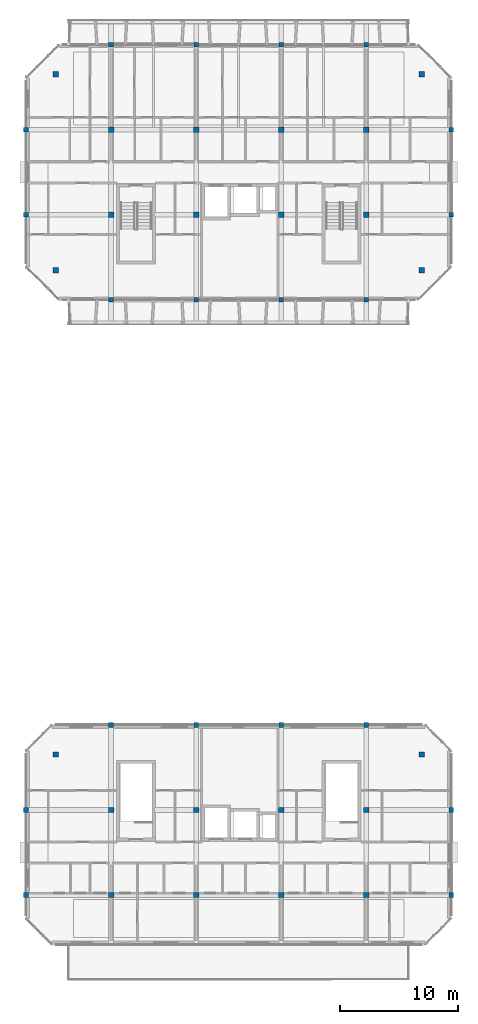
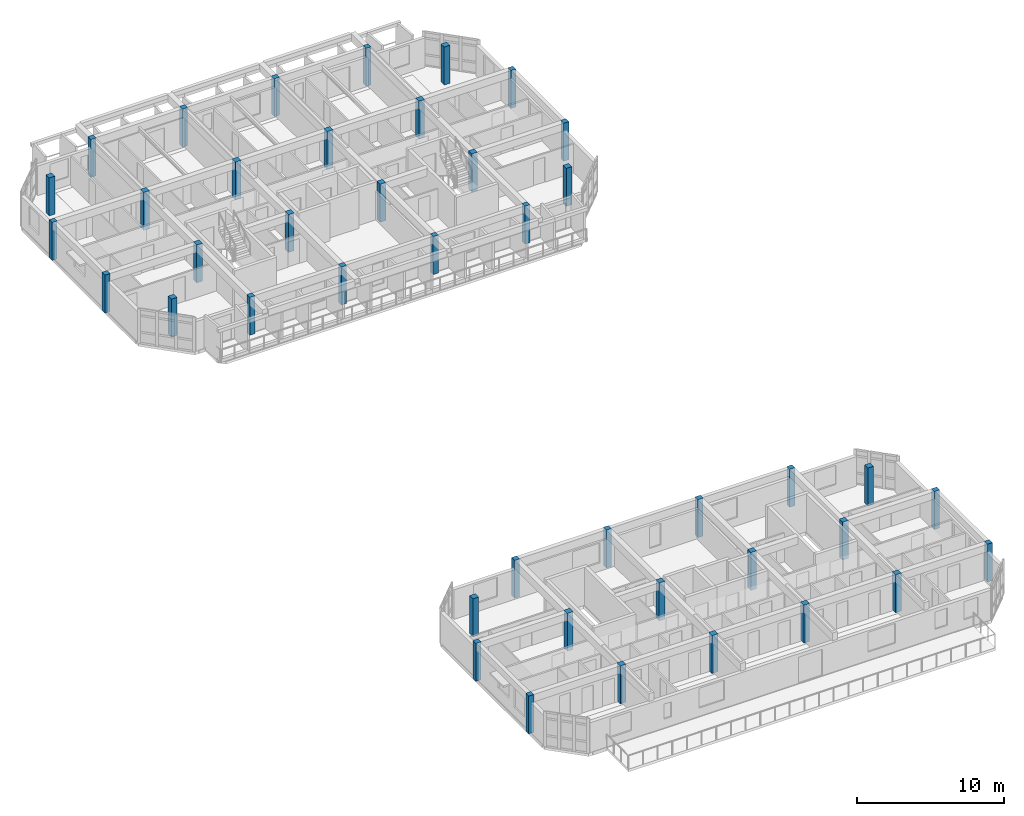
# One storey, part 1 of 19: 42 columns.
"""IFC4 building model written with IfcOpenShell, lengths in metres."""

from ifc_helpers import new_model, si_unit, direction, frame, origin, origin_2d, place, context, subcontext, project, spatial, rectangle, extrude, material, material_profile, profile_set, type_object, element, save


model = new_model("IFC4")

# Units and contexts
model_context = context("Model", 3, precision=1e-05, world=origin(), true_north=direction((0.0, 1.0)))
body_context = subcontext(model_context, "Body", "Model", "MODEL_VIEW")
ifc_project = project(units=[si_unit("LENGTHUNIT", "METRE"), si_unit("AREAUNIT", "SQUARE_METRE"), si_unit("VOLUMEUNIT", "CUBIC_METRE"), si_unit("PLANEANGLEUNIT", "RADIAN"), si_unit("MASSUNIT", "GRAM", prefix="KILO")], contexts=[model_context])

# Site, building, storey
site_placement = place(None, origin())
site = spatial("IfcSite", under=ifc_project, at=site_placement, CompositionType="ELEMENT")
building_placement = place(site_placement, origin())
building = spatial("IfcBuilding", under=site, at=building_placement, Name="Ochrevale Crest", CompositionType="ELEMENT")
storey_placement = place(building_placement, frame((0.0, 0.0, 43.35009765625)))
storey = spatial("IfcBuildingStorey", under=building, at=storey_placement, Name="L13", CompositionType="ELEMENT", Elevation=43.35009765625)

# Columns
ifc_material = material(Name="Precast concrete C40/50", Category="concrete")
ifc_material_profile_1 = material_profile(ifc_material, rectangle(XDim=0.39990234375, YDim=0.39990234375, at=origin_2d()), Name="RC 400x400")
ifc_profile_set_1 = profile_set([ifc_material_profile_1], Name="Precast concrete C40/50")
column_type_1 = type_object("IfcColumnType", Name="COL-RC400x400", PredefinedType="COLUMN", material=ifc_profile_set_1)
for number, where, z_axis, x_axis, name in (
    (1, (129.60009765625, 21.60009765625, 0.0), (0.0, 0.0, 1.0), (1.0, 0.0, 0.0), "Block C L13 column (129.6,21.6)"),
    (2, (129.60009765625, 28.800048828125, 0.0), (0.0, 0.0, 1.0), (1.0, 0.0, 0.0), "Block C L13 column (129.6,28.8)"),
    (3, (136.800048828125, 36.0, 0.0), (0.0, 0.0, 1.0), (1.0, 0.0, 0.0), "Block C L13 column (136.8,36.0)"),
    (4, (144.0, 36.0, 0.0), (0.0, 0.0, 1.0), (1.0, 0.0, 0.0), "Block C L13 column (144.0,36.0)"),
    (5, (151.199951171875, 36.0, 0.0), (0.0, 0.0, 1.0), (1.0, 0.0, 0.0), "Block C L13 column (151.2,36.0)"),
    (6, (158.39990234375, 36.0, 0.0), (0.0, 0.0, 1.0), (1.0, 0.0, 0.0), "Block C L13 column (158.4,36.0)"),
    (7, (165.60009765625, 21.60009765625, 0.0), (0.0, 0.0, 1.0), (1.0, 0.0, 0.0), "Block C L13 column (165.6,21.6)"),
    (8, (165.60009765625, 28.800048828125, 0.0), (0.0, 0.0, 1.0), (1.0, 0.0, 0.0), "Block C L13 column (165.6,28.8)"),
    (9, (129.60009765625, 79.199951171875, 0.0), (0.0, 0.0, 1.0), (1.0, 0.0, 0.0), "Block D L13 column (129.6,79.2)"),
    (10, (129.60009765625, 86.39990234375, 0.0), (0.0, 0.0, 1.0), (1.0, 0.0, 0.0), "Block D L13 column (129.6,86.4)"),
    (11, (136.800048828125, 72.0, 0.0), (0.0, 0.0, 1.0), (1.0, 0.0, 0.0), "Block D L13 column (136.8,72.0)"),
    (12, (136.800048828125, 93.60009765625, 0.0), (0.0, 0.0, 1.0), (1.0, 0.0, 0.0), "Block D L13 column (136.8,93.6)"),
    (13, (144.0, 72.0, 0.0), (0.0, 0.0, 1.0), (1.0, 0.0, 0.0), "Block D L13 column (144.0,72.0)"),
    (14, (144.0, 93.60009765625, 0.0), (0.0, 0.0, 1.0), (1.0, 0.0, 0.0), "Block D L13 column (144.0,93.6)"),
    (15, (151.199951171875, 72.0, 0.0), (0.0, 0.0, 1.0), (1.0, 0.0, 0.0), "Block D L13 column (151.2,72.0)"),
    (16, (151.199951171875, 93.60009765625, 0.0), (0.0, 0.0, 1.0), (1.0, 0.0, 0.0), "Block D L13 column (151.2,93.6)"),
    (17, (158.39990234375, 72.0, 0.0), (0.0, 0.0, 1.0), (1.0, 0.0, 0.0), "Block D L13 column (158.4,72.0)"),
    (18, (158.39990234375, 93.60009765625, 0.0), (0.0, 0.0, 1.0), (1.0, 0.0, 0.0), "Block D L13 column (158.4,93.6)"),
    (19, (165.60009765625, 79.199951171875, 0.0), (0.0, 0.0, 1.0), (1.0, 0.0, 0.0), "Block D L13 column (165.6,79.2)"),
    (20, (165.60009765625, 86.39990234375, 0.0), (0.0, 0.0, 1.0), (1.0, 0.0, 0.0), "Block D L13 column (165.6,86.4)"),
):
    element("IfcColumn", number, at=place(storey_placement, frame(where, z_axis=z_axis, x_axis=x_axis)), inside=storey, type_object=column_type_1, Name=name, PredefinedType="COLUMN", context=body_context, shape_type="SweptSolid", body=[
        extrude(rectangle(XDim=0.39990234375, YDim=0.39990234375, at=origin_2d()), origin(), (0.0, 0.0, 1.0), 3.14990234375),
    ])
ifc_material_profile_2 = material_profile(ifc_material, rectangle(XDim=0.449951171875, YDim=0.449951171875, at=origin_2d()), Name="RC 450x450")
ifc_profile_set_2 = profile_set([ifc_material_profile_2], Name="Precast concrete C40/50")
column_type_2 = type_object("IfcColumnType", Name="COL-RC450x450", PredefinedType="COLUMN", material=ifc_profile_set_2)
for number, where, z_axis, x_axis, name in (
    (21, (132.10009765625, 33.5, 0.0), (0.0, 0.0, 1.0), (1.0, 0.0, 0.0), "Block C L13 column (132.1,33.5)"),
    (22, (136.800048828125, 21.60009765625, 0.0), (0.0, 0.0, 1.0), (1.0, 0.0, 0.0), "Block C L13 column (136.8,21.6)"),
    (23, (136.800048828125, 28.800048828125, 0.0), (0.0, 0.0, 1.0), (1.0, 0.0, 0.0), "Block C L13 column (136.8,28.8)"),
    (24, (144.0, 21.60009765625, 0.0), (0.0, 0.0, 1.0), (1.0, 0.0, 0.0), "Block C L13 column (144.0,21.6)"),
    (25, (144.0, 28.800048828125, 0.0), (0.0, 0.0, 1.0), (1.0, 0.0, 0.0), "Block C L13 column (144.0,28.8)"),
    (26, (151.199951171875, 21.60009765625, 0.0), (0.0, 0.0, 1.0), (1.0, 0.0, 0.0), "Block C L13 column (151.2,21.6)"),
    (27, (151.199951171875, 28.800048828125, 0.0), (0.0, 0.0, 1.0), (1.0, 0.0, 0.0), "Block C L13 column (151.2,28.8)"),
    (28, (158.39990234375, 21.60009765625, 0.0), (0.0, 0.0, 1.0), (1.0, 0.0, 0.0), "Block C L13 column (158.4,21.6)"),
    (29, (158.39990234375, 28.800048828125, 0.0), (0.0, 0.0, 1.0), (1.0, 0.0, 0.0), "Block C L13 column (158.4,28.8)"),
    (30, (163.10009765625, 33.5, 0.0), (0.0, 0.0, 1.0), (1.0, 0.0, 0.0), "Block C L13 column (163.1,33.5)"),
    (31, (132.10009765625, 74.5, 0.0), (0.0, 0.0, 1.0), (1.0, 0.0, 0.0), "Block D L13 column (132.1,74.5)"),
    (32, (132.10009765625, 91.10009765625, 0.0), (0.0, 0.0, 1.0), (1.0, 0.0, 0.0), "Block D L13 column (132.1,91.1)"),
    (33, (136.800048828125, 79.199951171875, 0.0), (0.0, 0.0, 1.0), (1.0, 0.0, 0.0), "Block D L13 column (136.8,79.2)"),
    (34, (136.800048828125, 86.39990234375, 0.0), (0.0, 0.0, 1.0), (1.0, 0.0, 0.0), "Block D L13 column (136.8,86.4)"),
    (35, (144.0, 79.199951171875, 0.0), (0.0, 0.0, 1.0), (1.0, 0.0, 0.0), "Block D L13 column (144.0,79.2)"),
    (36, (144.0, 86.39990234375, 0.0), (0.0, 0.0, 1.0), (1.0, 0.0, 0.0), "Block D L13 column (144.0,86.4)"),
    (37, (151.199951171875, 79.199951171875, 0.0), (0.0, 0.0, 1.0), (1.0, 0.0, 0.0), "Block D L13 column (151.2,79.2)"),
    (38, (151.199951171875, 86.39990234375, 0.0), (0.0, 0.0, 1.0), (1.0, 0.0, 0.0), "Block D L13 column (151.2,86.4)"),
    (39, (158.39990234375, 79.199951171875, 0.0), (0.0, 0.0, 1.0), (1.0, 0.0, 0.0), "Block D L13 column (158.4,79.2)"),
    (40, (158.39990234375, 86.39990234375, 0.0), (0.0, 0.0, 1.0), (1.0, 0.0, 0.0), "Block D L13 column (158.4,86.4)"),
    (41, (163.10009765625, 74.5, 0.0), (0.0, 0.0, 1.0), (1.0, 0.0, 0.0), "Block D L13 column (163.1,74.5)"),
    (42, (163.10009765625, 91.10009765625, 0.0), (0.0, 0.0, 1.0), (1.0, 0.0, 0.0), "Block D L13 column (163.1,91.1)"),
):
    element("IfcColumn", number, at=place(storey_placement, frame(where, z_axis=z_axis, x_axis=x_axis)), inside=storey, type_object=column_type_2, Name=name, PredefinedType="COLUMN", context=body_context, shape_type="SweptSolid", body=[
        extrude(rectangle(XDim=0.449951171875, YDim=0.449951171875, at=origin_2d()), origin(), (0.0, 0.0, 1.0), 3.14990234375),
    ])

save(model, "model.ifc")
